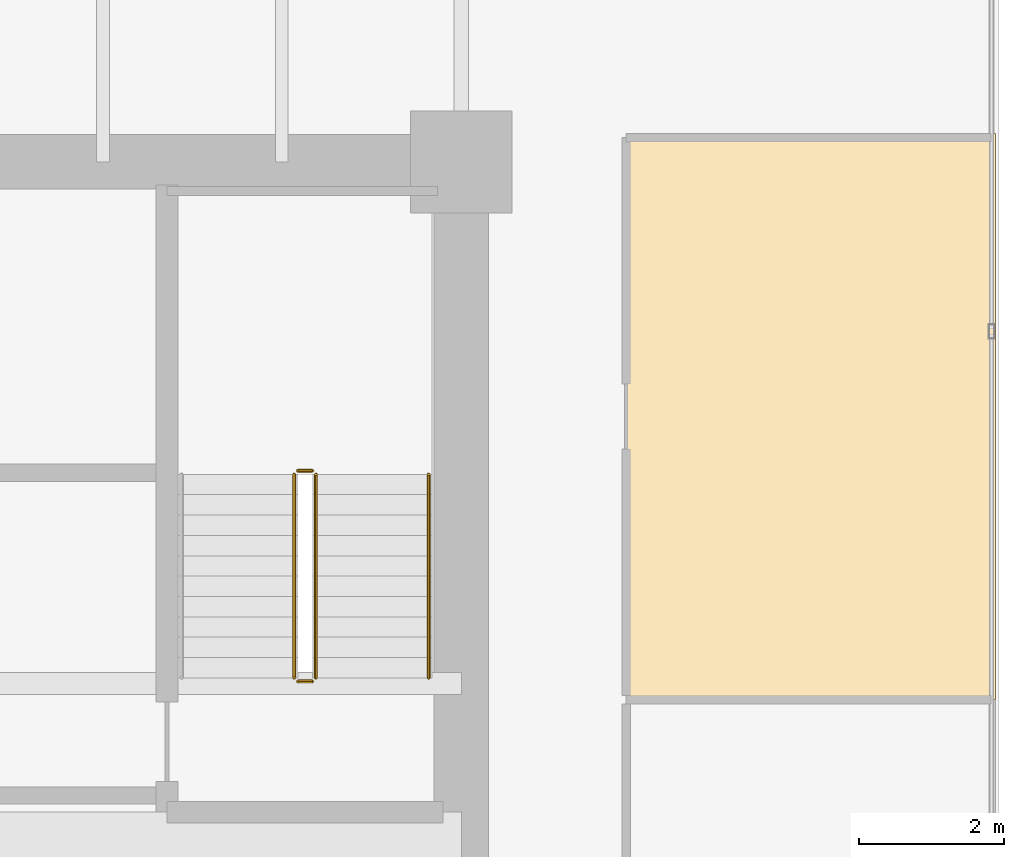
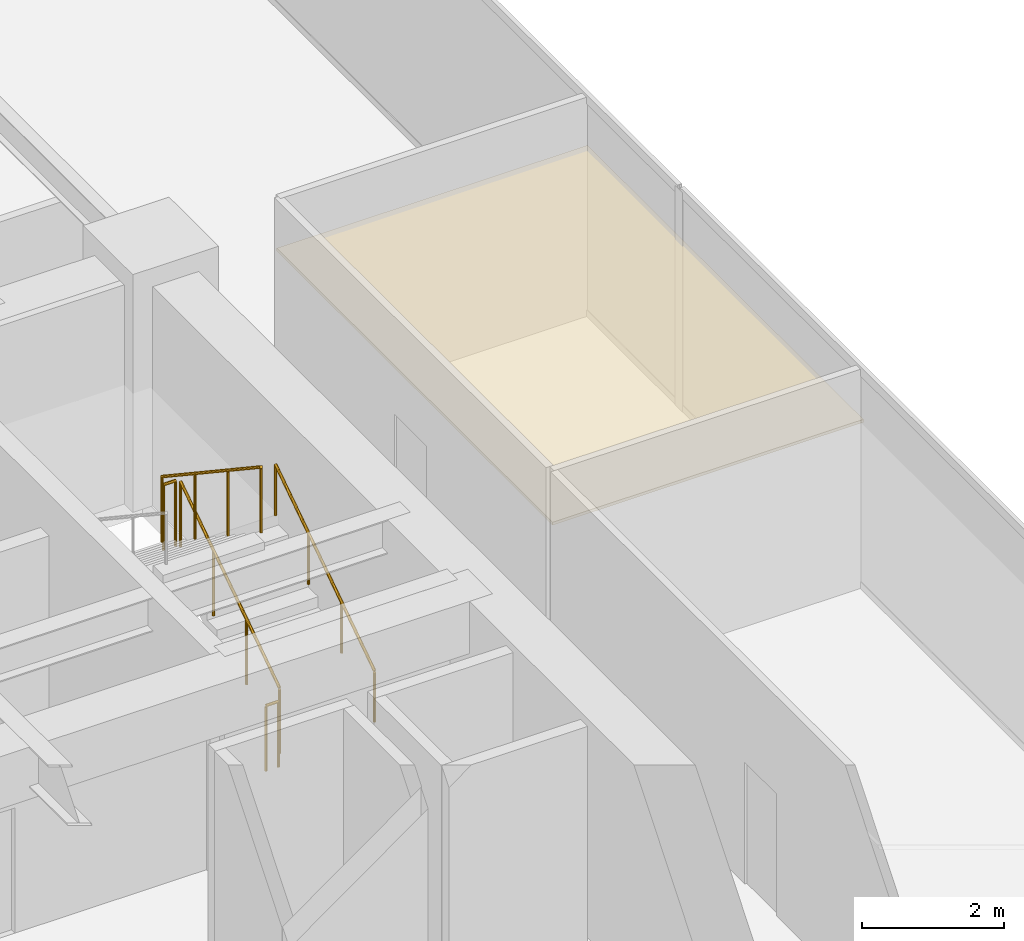
# One storey, part 36 of 36: 5 railings, 1 covering.
"""IFC4 building model written with IfcOpenShell, lengths in metres."""

from ifc_helpers import new_model, si_unit, direction, frame, origin, origin_2d, place, context, subcontext, project, spatial, polyline, circle, outline, extrude, source, transform, mapped, material, layer, layer_set, type_object, type_shapes, element, save


model = new_model("IFC4")

# Units and contexts
model_context = context("Model", 3, precision=1e-05, world=origin(), true_north=direction((0.0, 1.0)))
body_context = subcontext(model_context, "Body", "Model", "MODEL_VIEW")
ifc_project = project(units=[si_unit("LENGTHUNIT", "METRE"), si_unit("AREAUNIT", "SQUARE_METRE"), si_unit("VOLUMEUNIT", "CUBIC_METRE"), si_unit("PLANEANGLEUNIT", "RADIAN"), si_unit("MASSUNIT", "GRAM", prefix="KILO")], contexts=[model_context])

# Site, building, storey
site_placement = place(None, origin())
site = spatial("IfcSite", under=ifc_project, at=site_placement, CompositionType="ELEMENT")
building_placement = place(site_placement, origin())
building = spatial("IfcBuilding", under=site, at=building_placement, Name="Haelvirn Gate Laboratories", CompositionType="ELEMENT")
storey_placement = place(building_placement, frame((0.0, 0.0, 53.89990234375)))
storey = spatial("IfcBuildingStorey", under=building, at=storey_placement, Name="L13", CompositionType="ELEMENT", Elevation=53.89990234375)

# Covering
ifc_material_1 = material(Name="Washable cleanroom gasketed aluminium ceiling", Category="aluminium")
ifc_layer = layer(ifc_material_1, 0.050048828125, Name="COV-CEIL-CLN")
ifc_layer_set = layer_set([ifc_layer], Name="Washable cleanroom gasketed aluminium ceiling")
covering_type = type_object("IfcCoveringType", Name="COV-CEIL-CLN", PredefinedType="CEILING", material=ifc_layer_set)
covering_placement = place(storey_placement, frame((0.0, 0.0, 2.800048828125)))
element("IfcCovering", 1, at=covering_placement, inside=storey, type_object=covering_type, Name="L13 Laboratory Acoustic Ceiling CEIL-SP-L13-ECELL-02", PredefinedType="CEILING", context=body_context, shape_type="SweptSolid", body=[
    extrude(outline(polyline([(69.679931640625, 34.195068359375), (74.75, 34.195068359375), (74.75, 26.39990234375), (69.679931640625, 26.39990234375), (69.679931640625, 34.195068359375)])), origin(), (0.0, 0.0, 1.0), 0.050048828125),
])

# Railings
ifc_material_2 = material(Name="Galvanised steel SM355 & stainless top rail", Category="steel")
railing_type_1 = type_object("IfcRailingType", Name="RL-GUARD-1150", PredefinedType="GUARDRAIL", material=ifc_material_2)
shared_shape_1 = source(origin(), body_context, "Body", "SweptSolid", [
    extrude(circle(Radius=0.02392578125, at=origin_2d()), frame((0.0, 0.0, 1.1259765625), z_axis=(0.0, 0.832485552168, 0.554046753832), x_axis=(-1.0, 0.0, 0.0)), (0.0, 0.0, 1.0), 3.363525390625),
    extrude(circle(Radius=0.02099609375, at=origin_2d()), origin(), (0.0, 0.0, 1.0), 1.101806640625),
    extrude(circle(Radius=0.02099609375, at=origin_2d()), frame((0.0, 0.933349609375, 0.62109375)), (0.0, 0.0, 1.0), 1.101806640625),
    extrude(circle(Radius=0.02099609375, at=origin_2d()), frame((0.0, 1.86669921875, 1.242431640625)), (0.0, 0.0, 1.0), 1.101806640625),
    extrude(circle(Radius=0.02099609375, at=origin_2d()), frame((0.0, 2.800048828125, 1.863525390625)), (0.0, 0.0, 1.0), 1.101806640625),
])
railing_1_placement = place(storey_placement, frame((65.39990234375, 26.699951171875, 0.1865234375)))
element("IfcRailing", 2, at=railing_1_placement, inside=storey, type_object=railing_type_1, Name="L13 ST2 stair guard 1", PredefinedType="GUARDRAIL", context=body_context, shape_type="MappedRepresentation", body=[
    mapped(shared_shape_1, transform((0.0, 0.0, 0.0), scale=1.0)),
])
ifc_material_3 = material(Name="Brushed stainless steel 316L", Category="steel")
railing_type_2 = type_object("IfcRailingType", Name="RL-HAND-920", PredefinedType="HANDRAIL", material=ifc_material_3)
shared_shape_2 = source(origin(), body_context, "Body", "SweptSolid", [
    extrude(circle(Radius=0.02392578125, at=origin_2d()), frame((0.0, 0.0, 0.8759765625), z_axis=(0.0, 0.832485552168, 0.554046753832), x_axis=(-1.0, 0.0, 0.0)), (0.0, 0.0, 1.0), 3.363525390625),
    extrude(circle(Radius=0.02099609375, at=origin_2d()), origin(), (0.0, 0.0, 1.0), 0.851806640625),
    extrude(circle(Radius=0.02099609375, at=origin_2d()), frame((0.0, 0.933349609375, 0.62109375)), (0.0, 0.0, 1.0), 0.851806640625),
    extrude(circle(Radius=0.02099609375, at=origin_2d()), frame((0.0, 1.86669921875, 1.242431640625)), (0.0, 0.0, 1.0), 0.851806640625),
    extrude(circle(Radius=0.02099609375, at=origin_2d()), frame((0.0, 2.800048828125, 1.863525390625)), (0.0, 0.0, 1.0), 0.851806640625),
])
type_shapes(railing_type_2, [shared_shape_2])
railing_2_placement = place(storey_placement, frame((66.949951171875, 26.699951171875, 0.1865234375)))
element("IfcRailing", 3, at=railing_2_placement, inside=storey, type_object=railing_type_2, Name="L13 ST2 stair handrail 1", PredefinedType="HANDRAIL", context=body_context, shape_type="MappedRepresentation", body=[
    mapped(shared_shape_2, transform((0.0, 0.0, 0.0), scale=1.0)),
])
shared_shape_3 = source(origin(), body_context, "Body", "SweptSolid", [
    extrude(circle(Radius=0.02392578125, at=origin_2d()), frame((0.0, 0.0, 1.1259765625), z_axis=(0.0, -0.832485552168, 0.554046753832), x_axis=(1.0, 0.0, 0.0)), (0.0, 0.0, 1.0), 3.363525390625),
    extrude(circle(Radius=0.02099609375, at=origin_2d()), origin(), (0.0, 0.0, 1.0), 1.101806640625),
    extrude(circle(Radius=0.02099609375, at=origin_2d()), frame((0.0, -0.933349609375, 0.62109375)), (0.0, 0.0, 1.0), 1.101806640625),
    extrude(circle(Radius=0.02099609375, at=origin_2d()), frame((0.0, -1.86669921875, 1.242431640625)), (0.0, 0.0, 1.0), 1.101806640625),
    extrude(circle(Radius=0.02099609375, at=origin_2d()), frame((0.0, -2.800048828125, 1.863525390625)), (0.0, 0.0, 1.0), 1.101806640625),
])
railing_3_placement = place(storey_placement, frame((65.10009765625, 29.5, 2.236572265625)))
element("IfcRailing", 4, at=railing_3_placement, inside=storey, type_object=railing_type_1, Name="L13 ST2 stair guard 3", PredefinedType="GUARDRAIL", context=body_context, shape_type="MappedRepresentation", body=[
    mapped(shared_shape_3, transform((0.0, 0.0, 0.0), scale=1.0)),
])
shared_shape_4 = source(origin(), body_context, "Body", "SweptSolid", [
    extrude(circle(Radius=0.02392578125, at=origin_2d()), frame((0.0, 0.0, 1.1259765625), z_axis=(-1.0, 0.0, 0.0), x_axis=(0.0, -1.0, 0.0)), (0.0, 0.0, 1.0), 0.2001953125),
    extrude(circle(Radius=0.02099609375, at=origin_2d()), origin(), (0.0, 0.0, 1.0), 1.101806640625),
    extrude(circle(Radius=0.02099609375, at=origin_2d()), frame((-0.2001953125, 0.0, 0.0)), (0.0, 0.0, 1.0), 1.101806640625),
])
type_shapes(railing_type_1, [shared_shape_1, shared_shape_3, shared_shape_4])
for number, where, name in (
    (5, (65.35009765625, 29.550048828125, 2.050048828125), "L13 ST2 stair guard 2"),
    (6, (65.35009765625, 26.64990234375, 0.0), "L13 ST2 stair guard 4"),
):
    element("IfcRailing", number, at=place(storey_placement, frame(where)), inside=storey, type_object=railing_type_1, Name=name, PredefinedType="GUARDRAIL", context=body_context, shape_type="MappedRepresentation", body=[
        mapped(shared_shape_4, transform((0.0, 0.0, 0.0), scale=1.0)),
    ])

save(model, "model.ifc")
